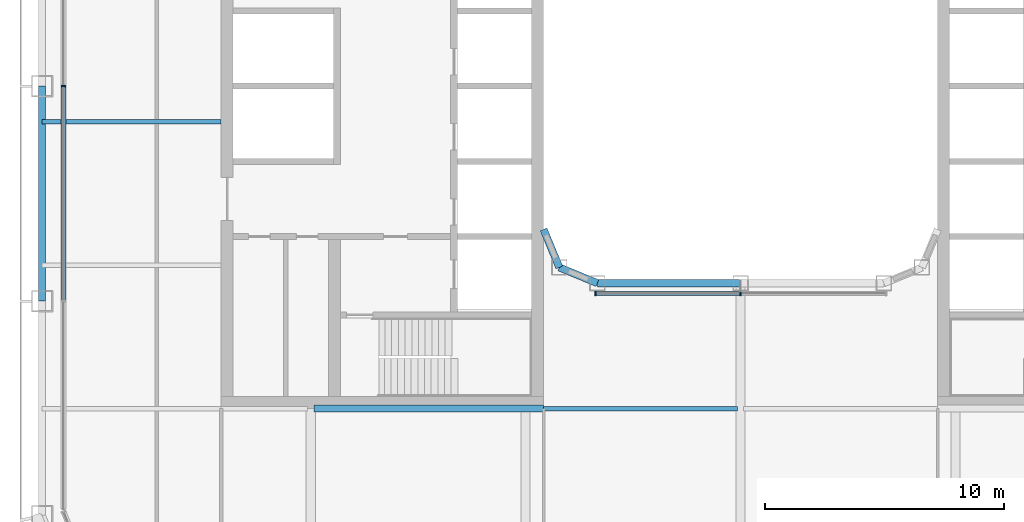
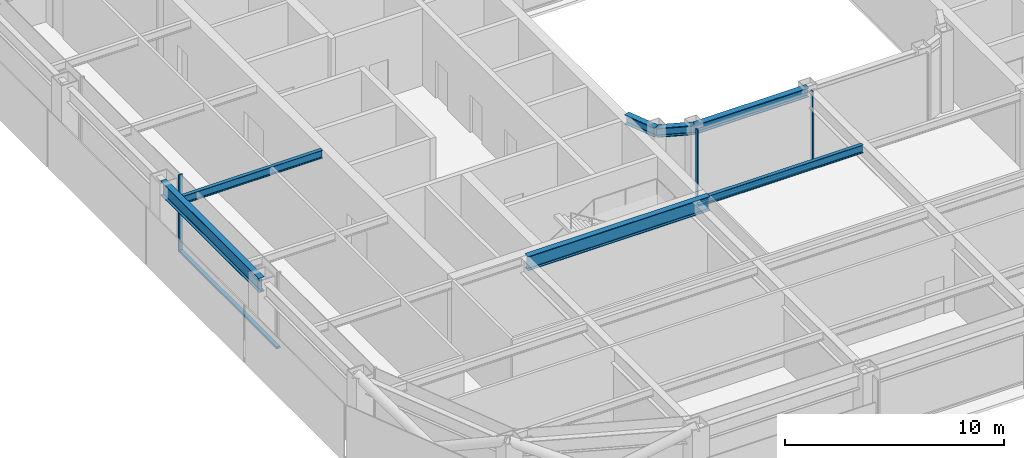
# One storey, part 3 of 21: 7 beams, 5 members, 2 elements without a shape of their own.
"""IFC4 building model written with IfcOpenShell, lengths in metres."""

from ifc_helpers import new_model, si_unit, direction, frame, origin, origin_2d, place, context, subcontext, project, spatial, rectangle, i_section, extrude, material, layer, layer_set, material_profile, profile_set, type_object, element, aggregate, save


model = new_model("IFC4")

# Units and contexts
model_context = context("Model", 3, precision=1e-05, world=origin(), true_north=direction((0.0, 1.0)))
body_context = subcontext(model_context, "Body", "Model", "MODEL_VIEW")
ifc_project = project(units=[si_unit("LENGTHUNIT", "METRE"), si_unit("AREAUNIT", "SQUARE_METRE"), si_unit("VOLUMEUNIT", "CUBIC_METRE"), si_unit("PLANEANGLEUNIT", "RADIAN"), si_unit("MASSUNIT", "GRAM", prefix="KILO")], contexts=[model_context])

# Site, building, storey
site_placement = place(None, origin())
site = spatial("IfcSite", under=ifc_project, at=site_placement, CompositionType="ELEMENT")
building_placement = place(site_placement, origin())
building = spatial("IfcBuilding", under=site, at=building_placement, Name="Siwar Civic Tower", CompositionType="ELEMENT")
storey_placement = place(building_placement, frame((0.0, 0.0, 176.699951171875)))
storey = spatial("IfcBuildingStorey", under=building, at=storey_placement, Name="L38", CompositionType="ELEMENT", Elevation=176.699951171875)

# Curtain wall, member
ifc_material_1 = material(Name="Aluminium and glass", Category="aluminium")
ifc_layer_1 = layer(ifc_material_1, 0.199951171875)
ifc_layer_set_1 = layer_set([ifc_layer_1], Name="Aluminium and glass")
curtain_wall_type_1 = type_object("IfcCurtainWallType", Name="ENV-CW-B", PredefinedType="NOTDEFINED", material=ifc_layer_set_1)
curtain_wall_1_placement = place(storey_placement, origin())
curtain_wall_1 = element("IfcCurtainWall", 1, at=curtain_wall_1_placement, inside=storey, type_object=curtain_wall_type_1, Name="Curtain wall B W", PredefinedType="NOTDEFINED")
ifc_material_2 = material(Name="Aluminium 6063-T6", Category="aluminium")
ifc_material_profile_1 = material_profile(ifc_material_2, rectangle(XDim=0.199951171875, YDim=0.06494140625, at=origin_2d()), Name="AL 200x65")
ifc_profile_set_1 = profile_set([ifc_material_profile_1], Name="Aluminium 6063-T6")
member_type_1 = type_object("IfcMemberType", Name="ENV-MULLION-B", PredefinedType="MULLION", material=ifc_profile_set_1)
member_1_placement = place(storey_placement, frame((-28.35009765625, 0.0, 0.0), z_axis=(0.0, 0.0, 1.0), x_axis=(1.0, 0.0, 0.0)))
member_1 = element("IfcMember", 2, at=member_1_placement, type_object=member_type_1, Name="Mullion B W 3", PredefinedType="MULLION", context=body_context, shape_type="SweptSolid", body=[
    extrude(rectangle(XDim=0.199951171875, YDim=0.06494140625, at=origin_2d()), origin(), (0.0, 0.0, 1.0), 4.300048828125),
])

# Curtain wall, members
ifc_material_3 = material(Name="Aluminium and glass", Category="aluminium")
ifc_layer_2 = layer(ifc_material_3, 0.179931640625)
ifc_layer_set_2 = layer_set([ifc_layer_2], Name="Aluminium and glass")
curtain_wall_type_2 = type_object("IfcCurtainWallType", Name="ENV-CW-W", PredefinedType="NOTDEFINED", material=ifc_layer_set_2)
curtain_wall_2_placement = place(storey_placement, origin())
curtain_wall_2 = element("IfcCurtainWall", 3, at=curtain_wall_2_placement, inside=storey, type_object=curtain_wall_type_2, Name="Curtain wall W WS", PredefinedType="NOTDEFINED")
ifc_material_4 = material(Name="Aluminium 6063-T6", Category="aluminium")
ifc_material_profile_2 = material_profile(ifc_material_4, rectangle(XDim=0.179931640625, YDim=0.06005859375, at=origin_2d()), Name="AL 180x60")
ifc_profile_set_2 = profile_set([ifc_material_profile_2], Name="Aluminium 6063-T6")
member_type_2 = type_object("IfcMemberType", Name="ENV-MULLION-W", PredefinedType="MULLION", material=ifc_profile_set_2)
member_2_placement = place(storey_placement, frame((-6.08642578125, -8.68505859375, 0.0), z_axis=(0.0, 0.0, 1.0), x_axis=(0.0, 1.0, 0.0)))
member_2 = element("IfcMember", 4, at=member_2_placement, type_object=member_type_2, Name="Mullion W WS 1", PredefinedType="MULLION", context=body_context, shape_type="SweptSolid", body=[
    extrude(rectangle(XDim=0.179931640625, YDim=0.06005859375, at=origin_2d()), origin(), (0.0, 0.0, 1.0), 4.300048828125),
])
member_3_placement = place(storey_placement, frame((0.0, -8.68505859375, 0.0), z_axis=(0.0, 0.0, 1.0), x_axis=(0.0, 1.0, 0.0)))
member_3 = element("IfcMember", 5, at=member_3_placement, type_object=member_type_2, Name="Mullion W WS 2", PredefinedType="MULLION", context=body_context, shape_type="SweptSolid", body=[
    extrude(rectangle(XDim=0.179931640625, YDim=0.06005859375, at=origin_2d()), origin(), (0.0, 0.0, 1.0), 4.300048828125),
])

# Member
ifc_material_5 = material(Name="Aluminium 6063-T6", Category="aluminium")
ifc_material_profile_3 = material_profile(ifc_material_5, rectangle(XDim=0.199951171875, YDim=0.110107421875, at=origin_2d()), Name="AL 200x110")
ifc_profile_set_3 = profile_set([ifc_material_profile_3], Name="Aluminium 6063-T6")
member_type_3 = type_object("IfcMemberType", Name="ENV-TRANSOM-B", PredefinedType="USERDEFINED", material=ifc_profile_set_3)
member_4_placement = place(storey_placement, frame((-28.35009765625, -0.032470703125, 0.054931640625), z_axis=(0.0, -1.0, 0.0), x_axis=(1.0, 0.0, 0.0)))
member_4 = element("IfcMember", 6, at=member_4_placement, type_object=member_type_3, Name="Transom B W 3", ObjectType="TRANSOM", PredefinedType="USERDEFINED", context=body_context, shape_type="SweptSolid", body=[
    extrude(rectangle(XDim=0.199951171875, YDim=0.110107421875, at=origin_2d()), origin(), (0.0, 0.0, 1.0), 8.93505859375),
])

aggregate(curtain_wall_1, [member_1, member_4])

ifc_material_6 = material(Name="Aluminium 6063-T6", Category="aluminium")
ifc_material_profile_4 = material_profile(ifc_material_6, rectangle(XDim=0.179931640625, YDim=0.10009765625, at=origin_2d()), Name="AL 180x100")
ifc_profile_set_4 = profile_set([ifc_material_profile_4], Name="Aluminium 6063-T6")
member_type_4 = type_object("IfcMemberType", Name="ENV-TRANSOM-W", PredefinedType="USERDEFINED", material=ifc_profile_set_4)
member_5_placement = place(storey_placement, frame((-6.056640625, -8.68505859375, 0.050048828125), z_axis=(1.0, 0.0, 0.0), x_axis=(0.0, 1.0, 0.0)))
member_5 = element("IfcMember", 7, at=member_5_placement, type_object=member_type_4, Name="Transom W WS 1", ObjectType="TRANSOM", PredefinedType="USERDEFINED", context=body_context, shape_type="SweptSolid", body=[
    extrude(rectangle(XDim=0.179931640625, YDim=0.10009765625, at=origin_2d()), origin(), (0.0, 0.0, 1.0), 6.026611328125),
])

aggregate(curtain_wall_2, [member_2, member_3, member_5])

# Beams
ifc_material_7 = material(Name="Steel S355", Category="steel")
ifc_material_profile_5 = material_profile(ifc_material_7, i_section(OverallWidth=0.18994140625, OverallDepth=0.449951171875, WebThickness=0.009521484375, FlangeThickness=0.0146484375, FilletRadius=0.02099609375, at=origin_2d()), Name="IPE450")
ifc_profile_set_5 = profile_set([ifc_material_profile_5], Name="Steel S355")
beam_type_1 = type_object("IfcBeamType", Name="STR-FB-IPE450", PredefinedType="JOIST", material=ifc_profile_set_5)
beam_1_placement = place(storey_placement, frame((-8.25, -13.5, 4.074951171875), z_axis=(1.0, 0.0, 0.0), x_axis=(0.0, 1.0, 0.0)))
element("IfcBeam", 8, at=beam_1_placement, inside=storey, type_object=beam_type_1, Name="L38/bm/F016", PredefinedType="JOIST", context=body_context, shape_type="SweptSolid", body=[
    extrude(i_section(OverallWidth=0.18994140625, OverallDepth=0.449951171875, WebThickness=0.009521484375, FlangeThickness=0.0146484375, FilletRadius=0.02099609375, at=origin_2d()), origin(), (0.0, 0.0, 1.0), 8.1201171875),
])
beam_2_placement = place(storey_placement, frame((-29.25, -1.5, 4.074951171875), z_axis=(1.0, 0.0, 0.0), x_axis=(0.0, 1.0, 0.0)))
element("IfcBeam", 9, at=beam_2_placement, inside=storey, type_object=beam_type_1, Name="L38/bm/F023", PredefinedType="JOIST", context=body_context, shape_type="SweptSolid", body=[
    extrude(i_section(OverallWidth=0.18994140625, OverallDepth=0.449951171875, WebThickness=0.009521484375, FlangeThickness=0.0146484375, FilletRadius=0.02099609375, at=origin_2d()), origin(), (0.0, 0.0, 1.0), 7.5),
])
ifc_material_8 = material(Name="Steel S355", Category="steel")
ifc_material_profile_6 = material_profile(ifc_material_8, i_section(OverallWidth=0.300048828125, OverallDepth=0.800048828125, WebThickness=0.017578125, FlangeThickness=0.032958984375, FilletRadius=0.030029296875, at=origin_2d()), Name="HEB800")
ifc_profile_set_6 = profile_set([ifc_material_profile_6], Name="Steel S355")
beam_type_2 = type_object("IfcBeamType", Name="STR-PG-HEB800", PredefinedType="BEAM", material=ifc_profile_set_6)
beam_3_placement = place(storey_placement, frame((-17.8701171875, -13.5, 3.900146484375), z_axis=(1.0, 0.0, 0.0), x_axis=(0.0, 1.0, 0.0)))
element("IfcBeam", 10, at=beam_3_placement, inside=storey, type_object=beam_type_2, Name="L38/bm/F015", PredefinedType="BEAM", context=body_context, shape_type="SweptSolid", body=[
    extrude(i_section(OverallWidth=0.300048828125, OverallDepth=0.800048828125, WebThickness=0.017578125, FlangeThickness=0.032958984375, FilletRadius=0.030029296875, at=origin_2d()), origin(), (0.0, 0.0, 1.0), 9.6201171875),
])
ifc_material_9 = material(Name="Steel S355", Category="steel")
ifc_material_profile_7 = material_profile(ifc_material_9, i_section(OverallWidth=0.305908203125, OverallDepth=0.52392578125, WebThickness=0.02099609375, FlangeThickness=0.0400390625, FilletRadius=0.027099609375, at=origin_2d()), Name="HEM500")
ifc_profile_set_7 = profile_set([ifc_material_profile_7], Name="Steel S355")
beam_type_3 = type_object("IfcBeamType", Name="STR-RB-HEM500", PredefinedType="BEAM", material=ifc_profile_set_7)
beam_4_placement = place(storey_placement, frame((-7.591064453125, -7.591064453125, 4.0380859375), z_axis=(0.923901072997, -0.382631424892, 0.0), x_axis=(0.382631424892, 0.923901072997, 0.0)))
element("IfcBeam", 11, at=beam_4_placement, inside=storey, type_object=beam_type_3, Name="L38/bm/RS0", PredefinedType="BEAM", context=body_context, shape_type="SweptSolid", body=[
    extrude(i_section(OverallWidth=0.305908203125, OverallDepth=0.52392578125, WebThickness=0.02099609375, FlangeThickness=0.0400390625, FilletRadius=0.027099609375, at=origin_2d()), origin(), (0.0, 0.0, 1.0), 1.72216796875),
])
beam_5_placement = place(storey_placement, frame((-6.0, -8.25, 4.0380859375), z_axis=(1.0, 0.0, 0.0), x_axis=(0.0, 1.0, 0.0)))
element("IfcBeam", 12, at=beam_5_placement, inside=storey, type_object=beam_type_3, Name="L38/bm/RS1", PredefinedType="BEAM", context=body_context, shape_type="SweptSolid", body=[
    extrude(i_section(OverallWidth=0.305908203125, OverallDepth=0.52392578125, WebThickness=0.02099609375, FlangeThickness=0.0400390625, FilletRadius=0.027099609375, at=origin_2d()), origin(), (0.0, 0.0, 1.0), 6.0),
])
beam_6_placement = place(storey_placement, frame((-7.591064453125, -7.591064453125, 4.0380859375), z_axis=(-0.382631424892, 0.923901072997, 0.0), x_axis=(-0.923901072997, -0.382631424892, 0.0)))
element("IfcBeam", 13, at=beam_6_placement, inside=storey, type_object=beam_type_3, Name="L38/bm/RSEW", PredefinedType="BEAM", context=body_context, shape_type="SweptSolid", body=[
    extrude(i_section(OverallWidth=0.305908203125, OverallDepth=0.52392578125, WebThickness=0.02099609375, FlangeThickness=0.0400390625, FilletRadius=0.027099609375, at=origin_2d()), origin(), (0.0, 0.0, 1.0), 1.72216796875),
])
ifc_material_10 = material(Name="Steel S355", Category="steel")
ifc_material_profile_8 = material_profile(ifc_material_10, i_section(OverallWidth=0.300048828125, OverallDepth=0.800048828125, WebThickness=0.017578125, FlangeThickness=0.032958984375, FilletRadius=0.030029296875, at=origin_2d()), Name="HEB800")
ifc_profile_set_8 = profile_set([ifc_material_profile_8], Name="Steel S355")
beam_type_4 = type_object("IfcBeamType", Name="STR-SB-HEB800", PredefinedType="BEAM", material=ifc_profile_set_8)
beam_7_placement = place(storey_placement, frame((-29.25, 0.0, 3.900146484375), z_axis=(0.0, -1.0, 0.0), x_axis=(1.0, 0.0, 0.0)))
element("IfcBeam", 14, at=beam_7_placement, inside=storey, type_object=beam_type_4, Name="L38/bm/SW-2", PredefinedType="BEAM", context=body_context, shape_type="SweptSolid", body=[
    extrude(i_section(OverallWidth=0.300048828125, OverallDepth=0.800048828125, WebThickness=0.017578125, FlangeThickness=0.032958984375, FilletRadius=0.030029296875, at=origin_2d()), origin(), (0.0, 0.0, 1.0), 9.0),
])

save(model, "model.ifc")
